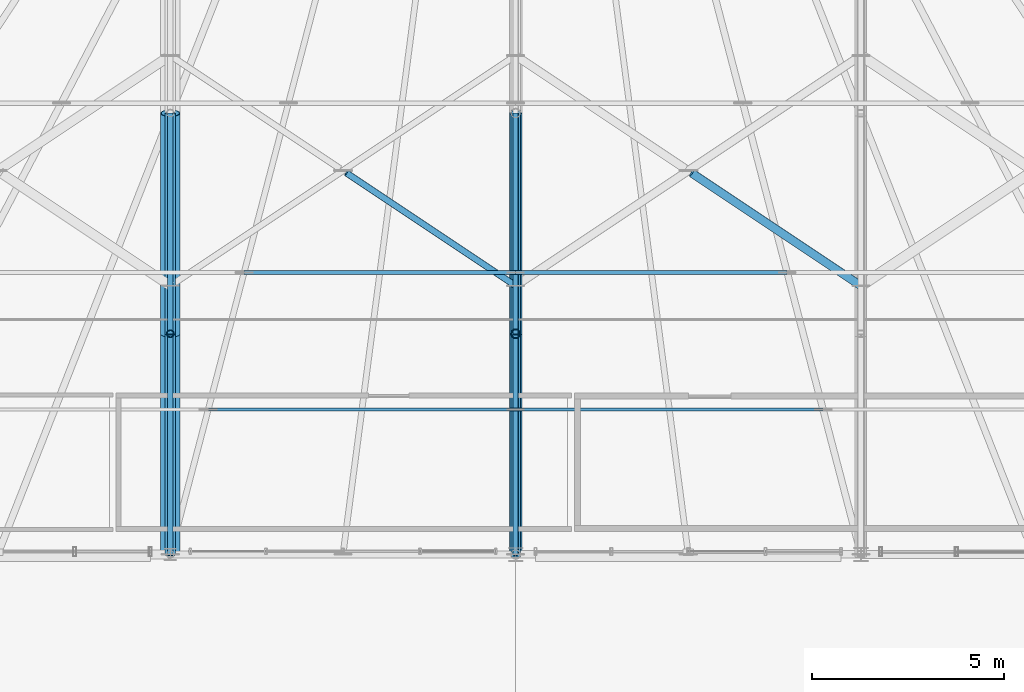
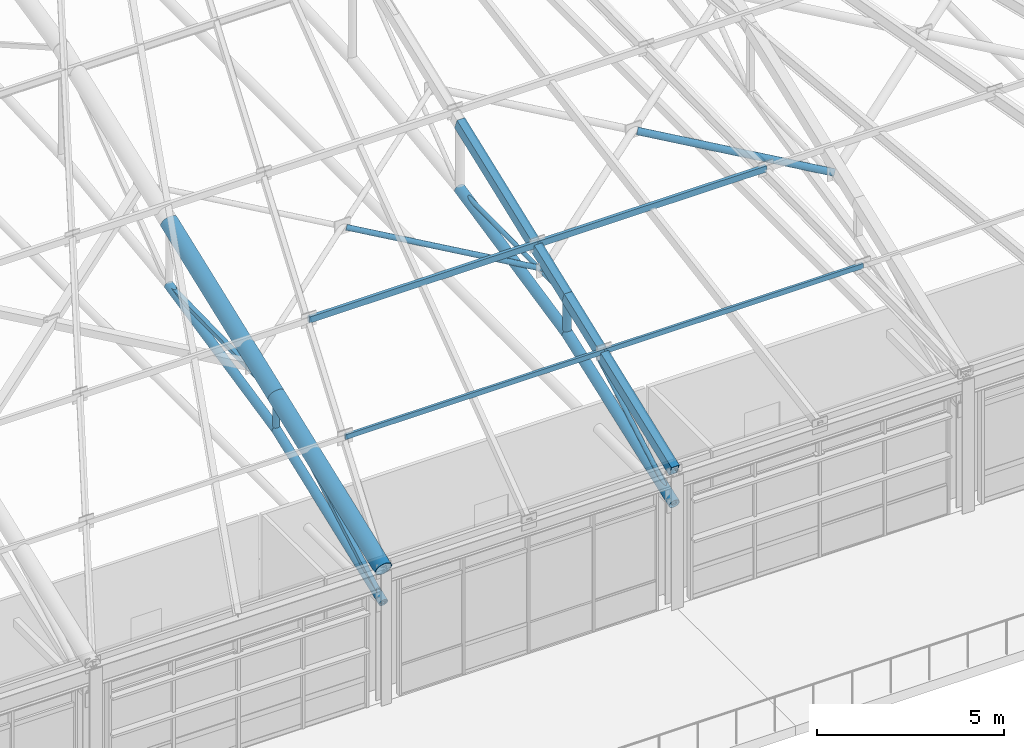
# One storey, part 24 of 168: 16 members, 4 beams.
"""IFC4 building model written with IfcOpenShell, lengths in metres."""

from ifc_helpers import new_model, si_unit, direction, frame, origin, origin_2d, place, context, subcontext, project, spatial, hollow_rectangle, hollow_circle, extrude, material, material_profile, profile_set, type_object, element, save


model = new_model("IFC4")

# Units and contexts
model_context = context("Model", 3, precision=1e-05, world=origin(), true_north=direction((0.0, 1.0)))
body_context = subcontext(model_context, "Body", "Model", "MODEL_VIEW")
ifc_project = project(units=[si_unit("LENGTHUNIT", "METRE"), si_unit("AREAUNIT", "SQUARE_METRE"), si_unit("VOLUMEUNIT", "CUBIC_METRE"), si_unit("PLANEANGLEUNIT", "RADIAN"), si_unit("MASSUNIT", "GRAM", prefix="KILO"), si_unit("THERMODYNAMICTEMPERATUREUNIT", "KELVIN"), si_unit("POWERUNIT", "WATT")], contexts=[model_context])

# Site, building, storey
site_placement = place(None, origin())
site = spatial("IfcSite", under=ifc_project, at=site_placement, CompositionType="ELEMENT")
building_placement = place(site_placement, origin())
building = spatial("IfcBuilding", under=site, at=building_placement, Name="Tepalcoro Natatorium and Aquatics Centre", CompositionType="ELEMENT")
storey_placement = place(building_placement, frame((0.0, 0.0, 10.199951171875)))
storey = spatial("IfcBuildingStorey", under=building, at=storey_placement, Name="L02", CompositionType="ELEMENT", Elevation=10.199951171875)

# Beams
ifc_material_1 = material(Name="Terracotta Painted Hollow Steel ASTM A500 Grade C (Fy 345 MPa)", Category="masonry")
ifc_material_profile_1 = material_profile(ifc_material_1, hollow_circle(Radius=0.25390625, WallThickness=0.02001953125, at=origin_2d()), Name="CHS508X20")
ifc_profile_set_1 = profile_set([ifc_material_profile_1], Name="Terracotta Painted Hollow Steel ASTM A500 Grade C (Fy 345 MPa)")
beam_type_1 = type_object("IfcBeamType", Name="AC_CHS508x20", PredefinedType="USERDEFINED", material=ifc_profile_set_1)
for number, where, z_axis, x_axis, name in (
    (1, (80.0, 13.0, 4.345947265625), (0.0, 0.934186419385, 0.356785276935), (-1.0, 0.0, 0.0), "V1 Arched Truss Top Chord 4"),
    (2, (80.0, 18.75, 6.5419921875), (0.0, 0.934186419385, 0.356785276935), (-1.0, 0.0, 0.0), "V1 Arched Truss Top Chord 4"),
):
    element("IfcBeam", number, at=place(storey_placement, frame(where, z_axis=z_axis, x_axis=x_axis)), inside=storey, type_object=beam_type_1, Name=name, ObjectType="ARCH CHORD", PredefinedType="USERDEFINED", context=body_context, shape_type="SweptSolid", body=[
        extrude(hollow_circle(Radius=0.25390625, WallThickness=0.02001953125, at=origin_2d()), origin(), (0.0, 0.0, 1.0), 6.155029296875),
    ])
ifc_material_profile_2 = material_profile(ifc_material_1, hollow_rectangle(XDim=0.25, YDim=0.35009765625, WallThickness=0.01611328125, at=origin_2d()), Name="HSS350X250X16")
ifc_profile_set_2 = profile_set([ifc_material_profile_2], Name="Terracotta Painted Hollow Steel ASTM A500 Grade C (Fy 345 MPa)")
beam_type_2 = type_object("IfcBeamType", Name="AC_HSS350x250x16", PredefinedType="USERDEFINED", material=ifc_profile_set_2)
for number, where, z_axis, x_axis, name in (
    (3, (89.0, 13.0, 4.425048828125), (0.0, 0.934186419385, 0.356785276935), (-1.0, 0.0, 0.0), "V1 Arched Truss Top Chord 5"),
    (4, (89.0, 18.75, 6.62109375), (0.0, 0.93419963938, 0.356750660521), (-1.0, 0.0, 0.0), "V1 Arched Truss Top Chord 5"),
):
    element("IfcBeam", number, at=place(storey_placement, frame(where, z_axis=z_axis, x_axis=x_axis)), inside=storey, type_object=beam_type_2, Name=name, ObjectType="ARCH CHORD", PredefinedType="USERDEFINED", context=body_context, shape_type="SweptSolid", body=[
        extrude(hollow_rectangle(XDim=0.25, YDim=0.35009765625, WallThickness=0.01611328125, at=origin_2d()), origin(), (0.0, 0.0, 1.0), 6.155029296875),
    ])

# Members
ifc_material_2 = material(Name="Hollow Steel ASTM A500 Grade C (Fy 345 MPa)", Category="steel")
ifc_material_profile_3 = material_profile(ifc_material_2, hollow_circle(Radius=0.083984375, WallThickness=0.010009765625, at=origin_2d()), Name="CHS168X10")
ifc_profile_set_3 = profile_set([ifc_material_profile_3], Name="Hollow Steel ASTM A500 Grade C (Fy 345 MPa)")
member_type_1 = type_object("IfcMemberType", Name="MB_BR_CHS168x10", PredefinedType="BRACE", material=ifc_profile_set_3)
member_1_placement = place(storey_placement, frame((89.0, 20.0, 6.768310546875), z_axis=(-0.813988111584, 0.54264372144, 0.20727070652), x_axis=(-0.55468956716, -0.832057380283, 0.0)))
element("IfcMember", 5, at=member_1_placement, inside=storey, type_object=member_type_1, Name="V1 Pyramid Roof Split Wind Brace", PredefinedType="BRACE", context=body_context, shape_type="SweptSolid", body=[
    extrude(hollow_circle(Radius=0.083984375, WallThickness=0.010009765625, at=origin_2d()), origin(), (0.0, 0.0, 1.0), 5.418212890625),
])
ifc_material_profile_4 = material_profile(ifc_material_2, hollow_circle(Radius=0.109619140625, WallThickness=0.011962890625, at=origin_2d()), Name="CHS219X12")
ifc_profile_set_4 = profile_set([ifc_material_profile_4], Name="Hollow Steel ASTM A500 Grade C (Fy 345 MPa)")
member_type_2 = type_object("IfcMemberType", Name="MB_BR_CHS219x12", PredefinedType="BRACE", material=ifc_profile_set_4)
member_2_placement = place(storey_placement, frame((98.0, 20.0, 6.768310546875), z_axis=(-0.813988111584, 0.54264372144, 0.20727070652), x_axis=(-0.55468956716, -0.832057380283, 0.0)))
element("IfcMember", 6, at=member_2_placement, inside=storey, type_object=member_type_2, Name="V1 Pyramid Roof Split Wind Brace", PredefinedType="BRACE", context=body_context, shape_type="SweptSolid", body=[
    extrude(hollow_circle(Radius=0.109619140625, WallThickness=0.011962890625, at=origin_2d()), origin(), (0.0, 0.0, 1.0), 5.418212890625),
])
ifc_material_profile_5 = material_profile(ifc_material_1, hollow_circle(Radius=0.136474609375, WallThickness=0.01611328125, at=origin_2d()), Name="CHS273X16")
ifc_profile_set_5 = profile_set([ifc_material_profile_5], Name="Terracotta Painted Hollow Steel ASTM A500 Grade C (Fy 345 MPa)")
member_type_3 = type_object("IfcMemberType", Name="MB_CH_CHS273x16", PredefinedType="CHORD", material=ifc_profile_set_5)
member_3_placement = place(storey_placement, frame((80.0, 13.0, 3.24609375), z_axis=(0.0, 0.934938504652, 0.354809797664), x_axis=(-1.0, 0.0, 0.0)))
element("IfcMember", 7, at=member_3_placement, inside=storey, type_object=member_type_3, Name="V1 Arched Truss Bottom Chord 4", PredefinedType="CHORD", context=body_context, shape_type="SweptSolid", body=[
    extrude(hollow_circle(Radius=0.136474609375, WallThickness=0.01611328125, at=origin_2d()), origin(), (0.0, 0.0, 1.0), 6.150146484375),
])
member_4_placement = place(storey_placement, frame((80.0, 18.75, 5.42822265625), z_axis=(0.0, 0.977724584974, 0.209891962535), x_axis=(-1.0, 0.0, 0.0)))
element("IfcMember", 8, at=member_4_placement, inside=storey, type_object=member_type_3, Name="V1 Arched Truss Bottom Chord 4", PredefinedType="CHORD", context=body_context, shape_type="SweptSolid", body=[
    extrude(hollow_circle(Radius=0.136474609375, WallThickness=0.01611328125, at=origin_2d()), origin(), (0.0, 0.0, 1.0), 5.881103515625),
])
ifc_material_profile_6 = material_profile(ifc_material_1, hollow_circle(Radius=0.162109375, WallThickness=0.013916015625, at=origin_2d()), Name="CHS324X14")
ifc_profile_set_6 = profile_set([ifc_material_profile_6], Name="Terracotta Painted Hollow Steel ASTM A500 Grade C (Fy 345 MPa)")
member_type_4 = type_object("IfcMemberType", Name="MB_CH_CHS324x14", PredefinedType="CHORD", material=ifc_profile_set_6)
member_5_placement = place(storey_placement, frame((89.0, 13.0, 3.324951171875), z_axis=(0.0, 0.93914324838, 0.343525776358), x_axis=(-1.0, 0.0, 0.0)))
element("IfcMember", 9, at=member_5_placement, inside=storey, type_object=member_type_4, Name="V1 Arched Truss Bottom Chord 5", PredefinedType="CHORD", context=body_context, shape_type="SweptSolid", body=[
    extrude(hollow_circle(Radius=0.162109375, WallThickness=0.013916015625, at=origin_2d()), origin(), (0.0, 0.0, 1.0), 6.12255859375),
])
member_6_placement = place(storey_placement, frame((89.0, 18.75, 5.42822265625), z_axis=(0.0, 0.977724584974, 0.209891962535), x_axis=(-1.0, 0.0, 0.0)))
element("IfcMember", 10, at=member_6_placement, inside=storey, type_object=member_type_4, Name="V1 Arched Truss Bottom Chord 5", PredefinedType="CHORD", context=body_context, shape_type="SweptSolid", body=[
    extrude(hollow_circle(Radius=0.162109375, WallThickness=0.013916015625, at=origin_2d()), origin(), (0.0, 0.0, 1.0), 5.881103515625),
])
ifc_material_profile_7 = material_profile(ifc_material_2, hollow_rectangle(XDim=0.080078125, YDim=0.159912109375, WallThickness=0.008056640625, at=origin_2d()), Name="HSS160X80X8")
ifc_profile_set_7 = profile_set([ifc_material_profile_7], Name="Hollow Steel ASTM A500 Grade C (Fy 345 MPa)")
member_type_5 = type_object("IfcMemberType", Name="MB_PR_HSS160x80x8", PredefinedType="PURLIN", material=ifc_profile_set_7)
for number, where, z_axis, x_axis, name in (
    (11, (80.989990234375, 16.780029296875, 6.03662109375), (1.0, 0.0, 0.0), (0.0, 1.0, 0.0), "Pyramid Horizontal Purlin South"),
    (12, (89.0, 16.780029296875, 6.03662109375), (1.0, 0.0, 0.0), (0.0, 1.0, 0.0), "Pyramid Horizontal Purlin South"),
):
    element("IfcMember", number, at=place(storey_placement, frame(where, z_axis=z_axis, x_axis=x_axis)), inside=storey, type_object=member_type_5, Name=name, PredefinedType="PURLIN", context=body_context, shape_type="SweptSolid", body=[
        extrude(hollow_rectangle(XDim=0.080078125, YDim=0.159912109375, WallThickness=0.008056640625, at=origin_2d()), origin(), (0.0, 0.0, 1.0), 8.010009765625),
    ])
ifc_material_profile_8 = material_profile(ifc_material_2, hollow_rectangle(XDim=0.10009765625, YDim=0.199951171875, WallThickness=0.008056640625, at=origin_2d()), Name="HSS200X100X8")
ifc_profile_set_8 = profile_set([ifc_material_profile_8], Name="Hollow Steel ASTM A500 Grade C (Fy 345 MPa)")
member_type_6 = type_object("IfcMemberType", Name="MB_PR_HSS200x100x8", PredefinedType="PURLIN", material=ifc_profile_set_8)
for number, where, z_axis, x_axis, name in (
    (13, (81.925048828125, 20.35009765625, 7.380126953125), (1.0, 0.0, 0.0), (0.0, 1.0, 0.0), "Pyramid Horizontal Purlin South"),
    (14, (89.0, 20.35009765625, 7.380126953125), (1.0, 0.0, 0.0), (0.0, 1.0, 0.0), "Pyramid Horizontal Purlin South"),
):
    element("IfcMember", number, at=place(storey_placement, frame(where, z_axis=z_axis, x_axis=x_axis)), inside=storey, type_object=member_type_6, Name=name, PredefinedType="PURLIN", context=body_context, shape_type="SweptSolid", body=[
        extrude(hollow_rectangle(XDim=0.10009765625, YDim=0.199951171875, WallThickness=0.008056640625, at=origin_2d()), origin(), (0.0, 0.0, 1.0), 7.074951171875),
    ])
ifc_material_profile_9 = material_profile(ifc_material_1, hollow_circle(Radius=0.096923828125, WallThickness=0.010009765625, at=origin_2d()), Name="CHS194X10")
ifc_profile_set_9 = profile_set([ifc_material_profile_9], Name="Terracotta Painted Hollow Steel ASTM A500 Grade C (Fy 345 MPa)")
member_type_7 = type_object("IfcMemberType", Name="MB_PS_CHS194x10", PredefinedType="POST", material=ifc_profile_set_9)
member_7_placement = place(storey_placement, frame((80.0, 18.75, 5.42822265625), z_axis=(0.0, 0.0, 1.0), x_axis=(1.0, 0.0, 0.0)))
element("IfcMember", 15, at=member_7_placement, inside=storey, type_object=member_type_7, Name="V1 Arched Truss Vertical Post 4", PredefinedType="POST", context=body_context, shape_type="SweptSolid", body=[
    extrude(hollow_circle(Radius=0.096923828125, WallThickness=0.010009765625, at=origin_2d()), origin(), (0.0, 0.0, 1.0), 1.11376953125),
])
ifc_material_profile_10 = material_profile(ifc_material_1, hollow_circle(Radius=0.1220703125, WallThickness=0.011962890625, at=origin_2d()), Name="CHS244X12")
ifc_profile_set_10 = profile_set([ifc_material_profile_10], Name="Terracotta Painted Hollow Steel ASTM A500 Grade C (Fy 345 MPa)")
member_type_8 = type_object("IfcMemberType", Name="MB_PS_CHS244x12", PredefinedType="POST", material=ifc_profile_set_10)
member_8_placement = place(storey_placement, frame((89.0, 18.75, 5.42822265625), z_axis=(0.0, 0.0, 1.0), x_axis=(1.0, 0.0, 0.0)))
element("IfcMember", 16, at=member_8_placement, inside=storey, type_object=member_type_8, Name="V1 Arched Truss Vertical Post 5", PredefinedType="POST", context=body_context, shape_type="SweptSolid", body=[
    extrude(hollow_circle(Radius=0.1220703125, WallThickness=0.011962890625, at=origin_2d()), origin(), (0.0, 0.0, 1.0), 1.19287109375),
])
ifc_material_profile_11 = material_profile(ifc_material_1, hollow_circle(Radius=0.070068359375, WallThickness=0.008056640625, at=origin_2d()), Name="CHS140X8")
ifc_profile_set_11 = profile_set([ifc_material_profile_11], Name="Terracotta Painted Hollow Steel ASTM A500 Grade C (Fy 345 MPa)")
member_type_9 = type_object("IfcMemberType", Name="MB_ST_CHS140x8", PredefinedType="STRUT", material=ifc_profile_set_11)
member_9_placement = place(storey_placement, frame((89.0, 13.0, 3.324951171875), z_axis=(0.0, 0.867564547129, 0.497324598794), x_axis=(-1.0, 0.0, 0.0)))
element("IfcMember", 17, at=member_9_placement, inside=storey, type_object=member_type_9, Name="V1 Arched Truss Web Diagonal 5", PredefinedType="STRUT", context=body_context, shape_type="SweptSolid", body=[
    extrude(hollow_circle(Radius=0.070068359375, WallThickness=0.008056640625, at=origin_2d()), origin(), (0.0, 0.0, 1.0), 6.627685546875),
])
member_10_placement = place(storey_placement, frame((89.0, 18.75, 6.62109375), z_axis=(0.0, 0.999973950746, 0.007217882627), x_axis=(-1.0, 0.0, 0.0)))
element("IfcMember", 18, at=member_10_placement, inside=storey, type_object=member_type_9, Name="V1 Arched Truss Web Diagonal 5", PredefinedType="STRUT", context=body_context, shape_type="SweptSolid", body=[
    extrude(hollow_circle(Radius=0.070068359375, WallThickness=0.008056640625, at=origin_2d()), origin(), (0.0, 0.0, 1.0), 5.750244140625),
])
ifc_material_profile_12 = material_profile(ifc_material_2, hollow_rectangle(XDim=0.139892578125, YDim=0.139892578125, WallThickness=0.008056640625, at=origin_2d()), Name="HSS140X140X8")
ifc_profile_set_12 = profile_set([ifc_material_profile_12], Name="Hollow Steel ASTM A500 Grade C (Fy 345 MPa)")
member_type_10 = type_object("IfcMemberType", Name="MB_ST_HSS140x140x8", PredefinedType="STRUT", material=ifc_profile_set_12)
member_11_placement = place(storey_placement, frame((80.0, 13.0, 3.24609375), z_axis=(0.0, 0.867580440338, 0.497296872646), x_axis=(-1.0, 0.0, 0.0)))
element("IfcMember", 19, at=member_11_placement, inside=storey, type_object=member_type_10, Name="V1 Arched Truss Web Diagonal 4", PredefinedType="STRUT", context=body_context, shape_type="SweptSolid", body=[
    extrude(hollow_rectangle(XDim=0.139892578125, YDim=0.139892578125, WallThickness=0.008056640625, at=origin_2d()), origin(), (0.0, 0.0, 1.0), 6.627685546875),
])
member_12_placement = place(storey_placement, frame((80.0, 18.75, 6.5419921875), z_axis=(0.0, 0.999780100093, 0.02097025176), x_axis=(-1.0, 0.0, 0.0)))
element("IfcMember", 20, at=member_12_placement, inside=storey, type_object=member_type_10, Name="V1 Arched Truss Web Diagonal 4", PredefinedType="STRUT", context=body_context, shape_type="SweptSolid", body=[
    extrude(hollow_rectangle(XDim=0.139892578125, YDim=0.139892578125, WallThickness=0.008056640625, at=origin_2d()), origin(), (0.0, 0.0, 1.0), 5.751220703125),
])

save(model, "model.ifc")
